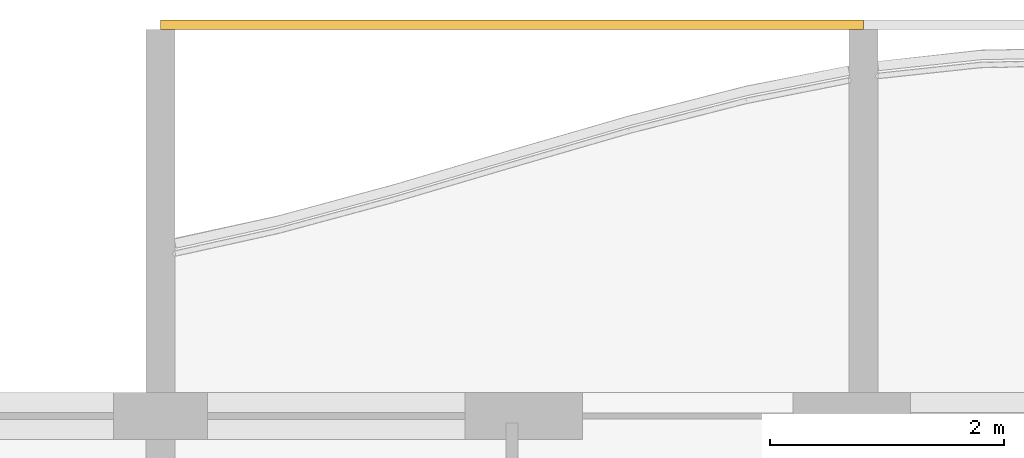
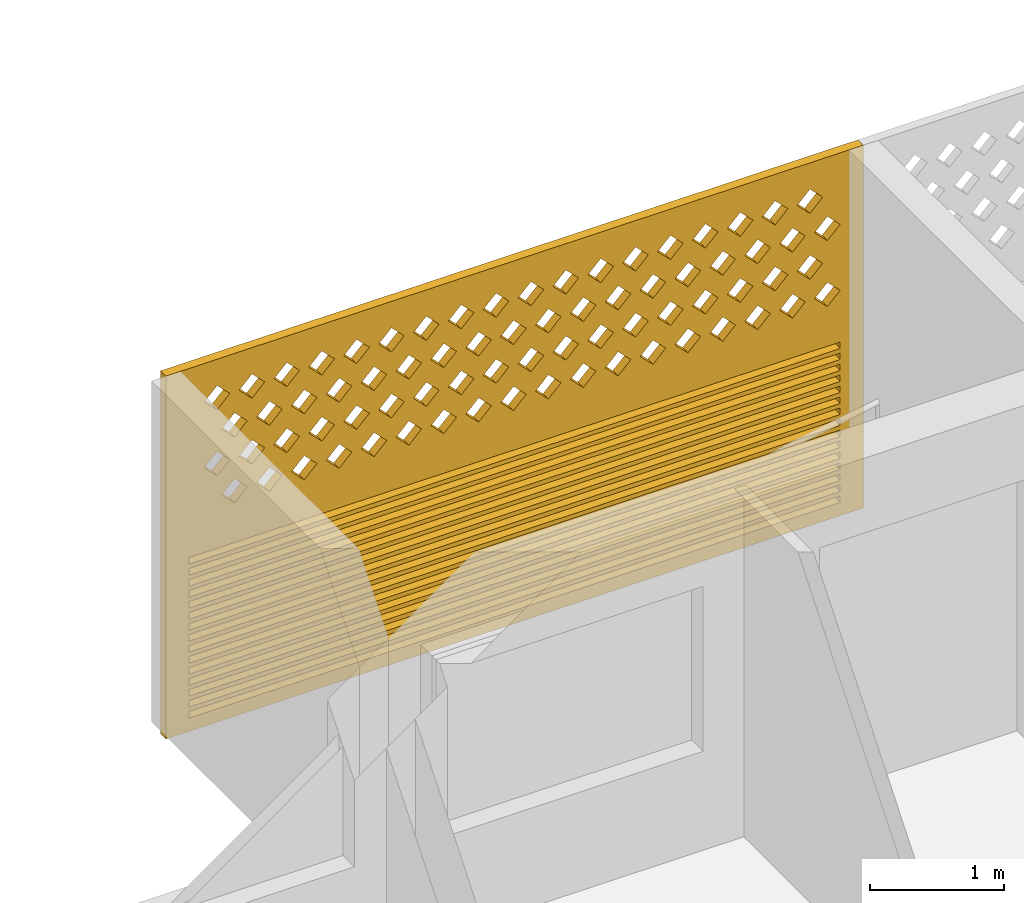
# One storey, part 25 of 29: 1 covering.
"""IFC4 building model written with IfcOpenShell, lengths in metres."""

import ifcopenshell
import ifcopenshell.guid

model = None  # the IFC model being written
_history = None  # IfcOwnerHistory: only IFC2X3 demands one
_inside = {}  # id of a spatial element -> (the spatial element, [elements in it])
_under = {}  # id of a project, library or spatial element -> (it, [spatial elements below it])
_declared = {}  # id of a project -> (the project, [libraries it declares])
_typed = {}  # id of a type object -> (the type object, [elements of that type])
_made_of = {}  # id of a material, layer set ... -> (it, [elements and type objects made of it])


def new_model(schema):
    """Start an empty IFC model of exactly this schema.

    Asked for "IFC4X3", IfcOpenShell would pick the latest addendum, in which some entities
    have other attributes; the version numbers below select the first issue.
    IFC2X3 requires an IfcOwnerHistory on every rooted entity: one is made here for all.
    """
    global model, _history
    if schema == "IFC4X3":
        model = ifcopenshell.file(schema_version=(4, 3, 0, 0))
    else:
        model = ifcopenshell.file(schema=schema)
    _inside.clear()
    _under.clear()
    _declared.clear()
    _typed.clear()
    _made_of.clear()
    _history = None
    if model.schema == "IFC2X3":
        org = make("IfcOrganization", Name="unknown")
        user = make(
            "IfcPersonAndOrganization",
            ThePerson=make("IfcPerson", FamilyName="unknown"),
            TheOrganization=org,
        )
        app = make(
            "IfcApplication",
            ApplicationDeveloper=org,
            Version="unknown",
            ApplicationFullName="unknown",
            ApplicationIdentifier="unknown",
        )
        _history = make(
            "IfcOwnerHistory",
            OwningUser=user,
            OwningApplication=app,
            ChangeAction="ADDED",
            CreationDate=0,
        )
    return model


def make(cls, **values):
    """One entity of the class cls with the attributes given. An attribute that is None is left unset."""
    return model.create_entity(
        cls, **{name: value for name, value in values.items() if value is not None}
    )


def rooted(cls, **values):
    """An entity with a GlobalId (a new one), such as an element, a storey or a relation."""
    return make(cls, GlobalId=ifcopenshell.guid.new(), OwnerHistory=_history, **values)


def si_unit(unit_type, name, prefix=None):
    """IfcSIUnit, for example si_unit("LENGTHUNIT", "METRE", prefix="MILLI")."""
    return make("IfcSIUnit", UnitType=unit_type, Prefix=prefix, Name=name)


def assignment(units):
    """IfcUnitAssignment: the units of a project."""
    return None if units is None else make("IfcUnitAssignment", Units=units)


def point(xyz):
    """IfcCartesianPoint."""
    return None if xyz is None else make("IfcCartesianPoint", Coordinates=xyz)


def direction(xyz):
    """IfcDirection."""
    return None if xyz is None else make("IfcDirection", DirectionRatios=xyz)


def frame(location, z_axis=None, x_axis=None):
    """IfcAxis2Placement3D, a coordinate frame: its origin and axes. An axis left out is left unset."""
    return make(
        "IfcAxis2Placement3D",
        Location=point(location),
        Axis=direction(z_axis),
        RefDirection=direction(x_axis),
    )


def origin():
    """The frame at (0, 0, 0) with its axes left unset."""
    return frame((0.0, 0.0, 0.0))


def place(relative_to, where):
    """IfcLocalPlacement: puts the frame where relative to a parent placement (None: the world)."""
    return make(
        "IfcLocalPlacement", PlacementRelTo=relative_to, RelativePlacement=where
    )


def context(
    kind, dimensions, precision=None, world=None, true_north=None, identifier=None
):
    """IfcGeometricRepresentationContext, for example the 3D "Model" context."""
    return make(
        "IfcGeometricRepresentationContext",
        ContextIdentifier=identifier,
        ContextType=kind,
        CoordinateSpaceDimension=dimensions,
        Precision=precision,
        WorldCoordinateSystem=world,
        TrueNorth=true_north,
    )


def subcontext(parent, identifier, kind, view, scale=None):
    """IfcGeometricRepresentationSubContext, for example "Body" below "Model"."""
    return make(
        "IfcGeometricRepresentationSubContext",
        ContextIdentifier=identifier,
        ContextType=kind,
        ParentContext=parent,
        TargetScale=scale,
        TargetView=view,
    )


def project(units=None, contexts=None):
    """IfcProject with its units and contexts."""
    return rooted(
        "IfcProject",
        Name="project",
        RepresentationContexts=contexts,
        UnitsInContext=assignment(units),
    )


def spatial(cls, under=None, at=None, **own):
    """A site, building, storey or space (cls), placed at a placement, below another one or the project."""
    s = rooted(cls, ObjectPlacement=at, **own)
    if under is not None:
        _under.setdefault(under.id(), (under, []))[1].append(s)
    return s


def polyline(points):
    """IfcPolyline through the points."""
    return make("IfcPolyline", Points=[point(p) for p in points])


def outline(outer, holes=None, kind="AREA"):
    """IfcArbitraryClosedProfileDef: a profile drawn as a closed curve; with holes, ...WithVoids."""
    if holes is None:
        return make("IfcArbitraryClosedProfileDef", ProfileType=kind, OuterCurve=outer)
    return make(
        "IfcArbitraryProfileDefWithVoids",
        ProfileType=kind,
        OuterCurve=outer,
        InnerCurves=holes,
    )


def extrude(swept, where, along, depth):
    """IfcExtrudedAreaSolid: the profile swept, set in the frame where, extruded along a direction by depth."""
    return make(
        "IfcExtrudedAreaSolid",
        SweptArea=swept,
        Position=where,
        ExtrudedDirection=direction(along),
        Depth=depth,
    )


def shape(context_of_items, identifier, shape_type, items):
    """IfcShapeRepresentation: the items that make up one representation, for example the "Body"."""
    return make(
        "IfcShapeRepresentation",
        ContextOfItems=context_of_items,
        RepresentationIdentifier=identifier,
        RepresentationType=shape_type,
        Items=items,
    )


def source(mapping_origin, context_of_items, identifier, shape_type, items):
    """IfcRepresentationMap: a shape defined once, which mapped items show again and again."""
    return make(
        "IfcRepresentationMap",
        MappingOrigin=mapping_origin,
        MappedRepresentation=shape(context_of_items, identifier, shape_type, items),
    )


def transform(
    local_origin,
    x_axis=None,
    y_axis=None,
    z_axis=None,
    scale=None,
    scale2=None,
    scale3=None,
    uniform=True,
):
    """IfcCartesianTransformationOperator3D, or its non-uniform kind. x_axis, y_axis, z_axis: its Axis1, 2, 3."""
    if uniform:
        return make(
            "IfcCartesianTransformationOperator3D",
            Axis1=direction(x_axis),
            Axis2=direction(y_axis),
            LocalOrigin=point(local_origin),
            Scale=scale,
            Axis3=direction(z_axis),
        )
    return make(
        "IfcCartesianTransformationOperator3DnonUniform",
        Axis1=direction(x_axis),
        Axis2=direction(y_axis),
        LocalOrigin=point(local_origin),
        Scale=scale,
        Axis3=direction(z_axis),
        Scale2=scale2,
        Scale3=scale3,
    )


def mapped(mapping_source, mapping_target):
    """IfcMappedItem: shows the shape of a source again, moved by a transform."""
    return make(
        "IfcMappedItem", MappingSource=mapping_source, MappingTarget=mapping_target
    )


def material(Name=None, Category=None):
    """IfcMaterial."""
    return make("IfcMaterial", Name=Name, Category=Category)


def material_profile(
    of_material, cross_section, Name=None, Category=None, Priority=None
):
    """IfcMaterialProfile: a cross section and its material."""
    return make(
        "IfcMaterialProfile",
        Name=Name,
        Material=of_material,
        Profile=cross_section,
        Priority=Priority,
        Category=Category,
    )


def profile_set(profiles, Name=None, composite=None):
    """IfcMaterialProfileSet."""
    return make(
        "IfcMaterialProfileSet",
        Name=Name,
        MaterialProfiles=profiles,
        CompositeProfile=composite,
    )


def made_of(thing, what):
    """Note that an element or type object is made of a material, layer set ...; save() writes the relation."""
    if what is not None:
        _made_of.setdefault(what.id(), (what, []))[1].append(thing)
    return thing


def type_object(cls, material=None, **own):
    """A type object (cls), such as IfcWallType, which elements share."""
    return made_of(rooted(cls, **own), material)


def element(
    cls,
    number,
    at=None,
    inside=None,
    cuts=None,
    type_object=None,
    material=None,
    context=None,
    identifier="Body",
    shape_type=None,
    held_by="IfcProductDefinitionShape",
    body=None,
    shapes=None,
    **own,
):
    """One element of the class cls, such as IfcWall. Its Tag is "e" and its number.

    at: its placement. inside: the storey or other place that contains it. cuts: it is an
    opening in that element (IfcRelVoidsElement). A single representation is given by context,
    identifier, shape_type and body (its items); several are given by shapes. held_by: the class
    of the entity that holds the representations. save() writes the other relations.
    """
    e = rooted(cls, Tag="e%d" % number, ObjectPlacement=at, **own)
    if body is not None:
        shapes = [shape(context, identifier, shape_type, body)]
    if shapes is not None:
        e.Representation = make(held_by, Representations=shapes)
    if inside is not None:
        _inside.setdefault(inside.id(), (inside, []))[1].append(e)
    if cuts is not None:
        rooted(
            "IfcRelVoidsElement", RelatingBuildingElement=cuts, RelatedOpeningElement=e
        )
    if type_object is not None:
        _typed.setdefault(type_object.id(), (type_object, []))[1].append(e)
    return made_of(e, material)


def aggregate(whole, parts):
    """IfcRelAggregates: a whole, such as a stair, and the parts it consists of."""
    return rooted("IfcRelAggregates", RelatingObject=whole, RelatedObjects=parts)


def save(model, path):
    """Write the relations noted so far, then the file.

    IfcRelAggregates (storeys below a building ...), IfcRelContainedInSpatialStructure (elements
    in a storey), IfcRelDefinesByType, IfcRelAssociatesMaterial and IfcRelDeclares: one each for
    every whole, place, type object, material and project.
    """
    for whole, parts in _under.values():
        aggregate(whole, parts)
    for where, things in _inside.values():
        rooted(
            "IfcRelContainedInSpatialStructure",
            RelatedElements=things,
            RelatingStructure=where,
        )
    for kind, things in _typed.values():
        rooted("IfcRelDefinesByType", RelatedObjects=things, RelatingType=kind)
    for what, things in _made_of.values():
        rooted("IfcRelAssociatesMaterial", RelatedObjects=things, RelatingMaterial=what)
    for by, libraries in _declared.values():
        rooted("IfcRelDeclares", RelatingContext=by, RelatedDefinitions=libraries)
    model.write(path)


model = new_model("IFC4")

# Units and contexts
model_context = context("Model", 3, precision=1e-05, world=origin(), true_north=direction((0.0, 1.0)))
body_context = subcontext(model_context, "Body", "Model", "MODEL_VIEW")
ifc_project = project(units=[si_unit("LENGTHUNIT", "METRE"), si_unit("AREAUNIT", "SQUARE_METRE"), si_unit("VOLUMEUNIT", "CUBIC_METRE"), si_unit("PLANEANGLEUNIT", "RADIAN"), si_unit("MASSUNIT", "GRAM", prefix="KILO")], contexts=[model_context])

# Site, building, storey
site_placement = place(None, origin())
site = spatial("IfcSite", under=ifc_project, at=site_placement, CompositionType="ELEMENT")
building_placement = place(site_placement, origin())
building = spatial("IfcBuilding", under=site, at=building_placement, Name="Poui Terraces", CompositionType="ELEMENT")
storey_placement = place(building_placement, frame((0.0, 0.0, 234.60009765625)))
storey = spatial("IfcBuildingStorey", under=building, at=storey_placement, Name="L65", CompositionType="ELEMENT", Elevation=234.60009765625)

# Covering
ifc_material = material(Name="Terracotta screen", Category="masonry")
ifc_material_profile = material_profile(ifc_material, outline(polyline([(-3.0, -1.64990234375), (3.0, -1.64990234375), (3.0, 1.64990234375), (-3.0, 1.64990234375), (-3.0, -1.64990234375)]), holes=[polyline([(-2.800048828125, 0.39990234375), (-2.68994140625, 0.2900390625), (-2.580078125, 0.39990234375), (-2.68994140625, 0.510009765625), (-2.800048828125, 0.39990234375)]), polyline([(-2.5, 0.39990234375), (-2.389892578125, 0.2900390625), (-2.280029296875, 0.39990234375), (-2.389892578125, 0.510009765625), (-2.5, 0.39990234375)]), polyline([(-2.199951171875, 0.39990234375), (-2.090087890625, 0.2900390625), (-1.97998046875, 0.39990234375), (-2.090087890625, 0.510009765625), (-2.199951171875, 0.39990234375)]), polyline([(-1.89990234375, 0.39990234375), (-1.7900390625, 0.2900390625), (-1.679931640625, 0.39990234375), (-1.7900390625, 0.510009765625), (-1.89990234375, 0.39990234375)]), polyline([(-1.60009765625, 0.39990234375), (-1.489990234375, 0.2900390625), (-1.3798828125, 0.39990234375), (-1.489990234375, 0.510009765625), (-1.60009765625, 0.39990234375)]), polyline([(-1.300048828125, 0.39990234375), (-1.18994140625, 0.2900390625), (-1.080078125, 0.39990234375), (-1.18994140625, 0.510009765625), (-1.300048828125, 0.39990234375)]), polyline([(-1.0, 0.39990234375), (-0.889892578125, 0.2900390625), (-0.780029296875, 0.39990234375), (-0.889892578125, 0.510009765625), (-1.0, 0.39990234375)]), polyline([(-0.699951171875, 0.39990234375), (-0.590087890625, 0.2900390625), (-0.47998046875, 0.39990234375), (-0.590087890625, 0.510009765625), (-0.699951171875, 0.39990234375)]), polyline([(-0.39990234375, 0.39990234375), (-0.2900390625, 0.2900390625), (-0.179931640625, 0.39990234375), (-0.2900390625, 0.510009765625), (-0.39990234375, 0.39990234375)]), polyline([(-0.10009765625, 0.39990234375), (0.010009765625, 0.2900390625), (0.1201171875, 0.39990234375), (0.010009765625, 0.510009765625), (-0.10009765625, 0.39990234375)]), polyline([(0.199951171875, 0.39990234375), (0.31005859375, 0.2900390625), (0.419921875, 0.39990234375), (0.31005859375, 0.510009765625), (0.199951171875, 0.39990234375)]), polyline([(0.5, 0.39990234375), (0.610107421875, 0.2900390625), (0.719970703125, 0.39990234375), (0.610107421875, 0.510009765625), (0.5, 0.39990234375)]), polyline([(0.800048828125, 0.39990234375), (0.909912109375, 0.2900390625), (1.02001953125, 0.39990234375), (0.909912109375, 0.510009765625), (0.800048828125, 0.39990234375)]), polyline([(1.10009765625, 0.39990234375), (1.2099609375, 0.2900390625), (1.320068359375, 0.39990234375), (1.2099609375, 0.510009765625), (1.10009765625, 0.39990234375)]), polyline([(1.39990234375, 0.39990234375), (1.510009765625, 0.2900390625), (1.6201171875, 0.39990234375), (1.510009765625, 0.510009765625), (1.39990234375, 0.39990234375)]), polyline([(1.699951171875, 0.39990234375), (1.81005859375, 0.2900390625), (1.919921875, 0.39990234375), (1.81005859375, 0.510009765625), (1.699951171875, 0.39990234375)]), polyline([(2.0, 0.39990234375), (2.110107421875, 0.2900390625), (2.219970703125, 0.39990234375), (2.110107421875, 0.510009765625), (2.0, 0.39990234375)]), polyline([(2.300048828125, 0.39990234375), (2.409912109375, 0.2900390625), (2.52001953125, 0.39990234375), (2.409912109375, 0.510009765625), (2.300048828125, 0.39990234375)]), polyline([(-2.64990234375, 0.699951171875), (-2.5400390625, 0.590087890625), (-2.429931640625, 0.699951171875), (-2.5400390625, 0.81005859375), (-2.64990234375, 0.699951171875)]), polyline([(-2.35009765625, 0.699951171875), (-2.239990234375, 0.590087890625), (-2.1298828125, 0.699951171875), (-2.239990234375, 0.81005859375), (-2.35009765625, 0.699951171875)]), polyline([(-2.050048828125, 0.699951171875), (-1.93994140625, 0.590087890625), (-1.830078125, 0.699951171875), (-1.93994140625, 0.81005859375), (-2.050048828125, 0.699951171875)]), polyline([(-1.75, 0.699951171875), (-1.639892578125, 0.590087890625), (-1.530029296875, 0.699951171875), (-1.639892578125, 0.81005859375), (-1.75, 0.699951171875)]), polyline([(-1.449951171875, 0.699951171875), (-1.340087890625, 0.590087890625), (-1.22998046875, 0.699951171875), (-1.340087890625, 0.81005859375), (-1.449951171875, 0.699951171875)]), polyline([(-1.14990234375, 0.699951171875), (-1.0400390625, 0.590087890625), (-0.929931640625, 0.699951171875), (-1.0400390625, 0.81005859375), (-1.14990234375, 0.699951171875)]), polyline([(-0.85009765625, 0.699951171875), (-0.739990234375, 0.590087890625), (-0.6298828125, 0.699951171875), (-0.739990234375, 0.81005859375), (-0.85009765625, 0.699951171875)]), polyline([(-0.550048828125, 0.699951171875), (-0.43994140625, 0.590087890625), (-0.330078125, 0.699951171875), (-0.43994140625, 0.81005859375), (-0.550048828125, 0.699951171875)]), polyline([(-0.25, 0.699951171875), (-0.139892578125, 0.590087890625), (-0.030029296875, 0.699951171875), (-0.139892578125, 0.81005859375), (-0.25, 0.699951171875)]), polyline([(0.050048828125, 0.699951171875), (0.159912109375, 0.590087890625), (0.27001953125, 0.699951171875), (0.159912109375, 0.81005859375), (0.050048828125, 0.699951171875)]), polyline([(0.35009765625, 0.699951171875), (0.4599609375, 0.590087890625), (0.570068359375, 0.699951171875), (0.4599609375, 0.81005859375), (0.35009765625, 0.699951171875)]), polyline([(0.64990234375, 0.699951171875), (0.760009765625, 0.590087890625), (0.8701171875, 0.699951171875), (0.760009765625, 0.81005859375), (0.64990234375, 0.699951171875)]), polyline([(0.949951171875, 0.699951171875), (1.06005859375, 0.590087890625), (1.169921875, 0.699951171875), (1.06005859375, 0.81005859375), (0.949951171875, 0.699951171875)]), polyline([(1.25, 0.699951171875), (1.360107421875, 0.590087890625), (1.469970703125, 0.699951171875), (1.360107421875, 0.81005859375), (1.25, 0.699951171875)]), polyline([(1.550048828125, 0.699951171875), (1.659912109375, 0.590087890625), (1.77001953125, 0.699951171875), (1.659912109375, 0.81005859375), (1.550048828125, 0.699951171875)]), polyline([(1.85009765625, 0.699951171875), (1.9599609375, 0.590087890625), (2.070068359375, 0.699951171875), (1.9599609375, 0.81005859375), (1.85009765625, 0.699951171875)]), polyline([(2.14990234375, 0.699951171875), (2.260009765625, 0.590087890625), (2.3701171875, 0.699951171875), (2.260009765625, 0.81005859375), (2.14990234375, 0.699951171875)]), polyline([(2.449951171875, 0.699951171875), (2.56005859375, 0.590087890625), (2.669921875, 0.699951171875), (2.56005859375, 0.81005859375), (2.449951171875, 0.699951171875)]), polyline([(-2.800048828125, 1.0), (-2.68994140625, 0.889892578125), (-2.580078125, 1.0), (-2.68994140625, 1.110107421875), (-2.800048828125, 1.0)]), polyline([(-2.5, 1.0), (-2.389892578125, 0.889892578125), (-2.280029296875, 1.0), (-2.389892578125, 1.110107421875), (-2.5, 1.0)]), polyline([(-2.199951171875, 1.0), (-2.090087890625, 0.889892578125), (-1.97998046875, 1.0), (-2.090087890625, 1.110107421875), (-2.199951171875, 1.0)]), polyline([(-1.89990234375, 1.0), (-1.7900390625, 0.889892578125), (-1.679931640625, 1.0), (-1.7900390625, 1.110107421875), (-1.89990234375, 1.0)]), polyline([(-1.60009765625, 1.0), (-1.489990234375, 0.889892578125), (-1.3798828125, 1.0), (-1.489990234375, 1.110107421875), (-1.60009765625, 1.0)]), polyline([(-1.300048828125, 1.0), (-1.18994140625, 0.889892578125), (-1.080078125, 1.0), (-1.18994140625, 1.110107421875), (-1.300048828125, 1.0)]), polyline([(-1.0, 1.0), (-0.889892578125, 0.889892578125), (-0.780029296875, 1.0), (-0.889892578125, 1.110107421875), (-1.0, 1.0)]), polyline([(-0.699951171875, 1.0), (-0.590087890625, 0.889892578125), (-0.47998046875, 1.0), (-0.590087890625, 1.110107421875), (-0.699951171875, 1.0)]), polyline([(-0.39990234375, 1.0), (-0.2900390625, 0.889892578125), (-0.179931640625, 1.0), (-0.2900390625, 1.110107421875), (-0.39990234375, 1.0)]), polyline([(-0.10009765625, 1.0), (0.010009765625, 0.889892578125), (0.1201171875, 1.0), (0.010009765625, 1.110107421875), (-0.10009765625, 1.0)]), polyline([(0.199951171875, 1.0), (0.31005859375, 0.889892578125), (0.419921875, 1.0), (0.31005859375, 1.110107421875), (0.199951171875, 1.0)]), polyline([(0.5, 1.0), (0.610107421875, 0.889892578125), (0.719970703125, 1.0), (0.610107421875, 1.110107421875), (0.5, 1.0)]), polyline([(0.800048828125, 1.0), (0.909912109375, 0.889892578125), (1.02001953125, 1.0), (0.909912109375, 1.110107421875), (0.800048828125, 1.0)]), polyline([(1.10009765625, 1.0), (1.2099609375, 0.889892578125), (1.320068359375, 1.0), (1.2099609375, 1.110107421875), (1.10009765625, 1.0)]), polyline([(1.39990234375, 1.0), (1.510009765625, 0.889892578125), (1.6201171875, 1.0), (1.510009765625, 1.110107421875), (1.39990234375, 1.0)]), polyline([(1.699951171875, 1.0), (1.81005859375, 0.889892578125), (1.919921875, 1.0), (1.81005859375, 1.110107421875), (1.699951171875, 1.0)]), polyline([(2.0, 1.0), (2.110107421875, 0.889892578125), (2.219970703125, 1.0), (2.110107421875, 1.110107421875), (2.0, 1.0)]), polyline([(2.300048828125, 1.0), (2.409912109375, 0.889892578125), (2.52001953125, 1.0), (2.409912109375, 1.110107421875), (2.300048828125, 1.0)]), polyline([(-2.64990234375, 1.300048828125), (-2.5400390625, 1.18994140625), (-2.429931640625, 1.300048828125), (-2.5400390625, 1.409912109375), (-2.64990234375, 1.300048828125)]), polyline([(-2.35009765625, 1.300048828125), (-2.239990234375, 1.18994140625), (-2.1298828125, 1.300048828125), (-2.239990234375, 1.409912109375), (-2.35009765625, 1.300048828125)]), polyline([(-2.050048828125, 1.300048828125), (-1.93994140625, 1.18994140625), (-1.830078125, 1.300048828125), (-1.93994140625, 1.409912109375), (-2.050048828125, 1.300048828125)]), polyline([(-1.75, 1.300048828125), (-1.639892578125, 1.18994140625), (-1.530029296875, 1.300048828125), (-1.639892578125, 1.409912109375), (-1.75, 1.300048828125)]), polyline([(-1.449951171875, 1.300048828125), (-1.340087890625, 1.18994140625), (-1.22998046875, 1.300048828125), (-1.340087890625, 1.409912109375), (-1.449951171875, 1.300048828125)]), polyline([(-1.14990234375, 1.300048828125), (-1.0400390625, 1.18994140625), (-0.929931640625, 1.300048828125), (-1.0400390625, 1.409912109375), (-1.14990234375, 1.300048828125)]), polyline([(-0.85009765625, 1.300048828125), (-0.739990234375, 1.18994140625), (-0.6298828125, 1.300048828125), (-0.739990234375, 1.409912109375), (-0.85009765625, 1.300048828125)]), polyline([(-0.550048828125, 1.300048828125), (-0.43994140625, 1.18994140625), (-0.330078125, 1.300048828125), (-0.43994140625, 1.409912109375), (-0.550048828125, 1.300048828125)]), polyline([(-0.25, 1.300048828125), (-0.139892578125, 1.18994140625), (-0.030029296875, 1.300048828125), (-0.139892578125, 1.409912109375), (-0.25, 1.300048828125)]), polyline([(0.050048828125, 1.300048828125), (0.159912109375, 1.18994140625), (0.27001953125, 1.300048828125), (0.159912109375, 1.409912109375), (0.050048828125, 1.300048828125)]), polyline([(0.35009765625, 1.300048828125), (0.4599609375, 1.18994140625), (0.570068359375, 1.300048828125), (0.4599609375, 1.409912109375), (0.35009765625, 1.300048828125)]), polyline([(0.64990234375, 1.300048828125), (0.760009765625, 1.18994140625), (0.8701171875, 1.300048828125), (0.760009765625, 1.409912109375), (0.64990234375, 1.300048828125)]), polyline([(0.949951171875, 1.300048828125), (1.06005859375, 1.18994140625), (1.169921875, 1.300048828125), (1.06005859375, 1.409912109375), (0.949951171875, 1.300048828125)]), polyline([(1.25, 1.300048828125), (1.360107421875, 1.18994140625), (1.469970703125, 1.300048828125), (1.360107421875, 1.409912109375), (1.25, 1.300048828125)]), polyline([(1.550048828125, 1.300048828125), (1.659912109375, 1.18994140625), (1.77001953125, 1.300048828125), (1.659912109375, 1.409912109375), (1.550048828125, 1.300048828125)]), polyline([(1.85009765625, 1.300048828125), (1.9599609375, 1.18994140625), (2.070068359375, 1.300048828125), (1.9599609375, 1.409912109375), (1.85009765625, 1.300048828125)]), polyline([(2.14990234375, 1.300048828125), (2.260009765625, 1.18994140625), (2.3701171875, 1.300048828125), (2.260009765625, 1.409912109375), (2.14990234375, 1.300048828125)]), polyline([(2.449951171875, 1.300048828125), (2.56005859375, 1.18994140625), (2.669921875, 1.300048828125), (2.56005859375, 1.409912109375), (2.449951171875, 1.300048828125)]), polyline([(-2.800048828125, -1.530029296875), (2.800048828125, -1.530029296875), (2.800048828125, -1.469970703125), (-2.800048828125, -1.469970703125), (-2.800048828125, -1.530029296875)]), polyline([(-2.800048828125, -1.429931640625), (2.800048828125, -1.429931640625), (2.800048828125, -1.3701171875), (-2.800048828125, -1.3701171875), (-2.800048828125, -1.429931640625)]), polyline([(-2.800048828125, -1.330078125), (2.800048828125, -1.330078125), (2.800048828125, -1.27001953125), (-2.800048828125, -1.27001953125), (-2.800048828125, -1.330078125)]), polyline([(-2.800048828125, -1.22998046875), (2.800048828125, -1.22998046875), (2.800048828125, -1.169921875), (-2.800048828125, -1.169921875), (-2.800048828125, -1.22998046875)]), polyline([(-2.800048828125, -1.1298828125), (2.800048828125, -1.1298828125), (2.800048828125, -1.070068359375), (-2.800048828125, -1.070068359375), (-2.800048828125, -1.1298828125)]), polyline([(-2.800048828125, -1.030029296875), (2.800048828125, -1.030029296875), (2.800048828125, -0.969970703125), (-2.800048828125, -0.969970703125), (-2.800048828125, -1.030029296875)]), polyline([(-2.800048828125, -0.929931640625), (2.800048828125, -0.929931640625), (2.800048828125, -0.8701171875), (-2.800048828125, -0.8701171875), (-2.800048828125, -0.929931640625)]), polyline([(-2.800048828125, -0.830078125), (2.800048828125, -0.830078125), (2.800048828125, -0.77001953125), (-2.800048828125, -0.77001953125), (-2.800048828125, -0.830078125)]), polyline([(-2.800048828125, -0.72998046875), (2.800048828125, -0.72998046875), (2.800048828125, -0.669921875), (-2.800048828125, -0.669921875), (-2.800048828125, -0.72998046875)]), polyline([(-2.800048828125, -0.6298828125), (2.800048828125, -0.6298828125), (2.800048828125, -0.570068359375), (-2.800048828125, -0.570068359375), (-2.800048828125, -0.6298828125)]), polyline([(-2.800048828125, -0.530029296875), (2.800048828125, -0.530029296875), (2.800048828125, -0.469970703125), (-2.800048828125, -0.469970703125), (-2.800048828125, -0.530029296875)]), polyline([(-2.800048828125, -0.429931640625), (2.800048828125, -0.429931640625), (2.800048828125, -0.3701171875), (-2.800048828125, -0.3701171875), (-2.800048828125, -0.429931640625)]), polyline([(-2.800048828125, -0.330078125), (2.800048828125, -0.330078125), (2.800048828125, -0.27001953125), (-2.800048828125, -0.27001953125), (-2.800048828125, -0.330078125)]), polyline([(-2.800048828125, -0.22998046875), (2.800048828125, -0.22998046875), (2.800048828125, -0.169921875), (-2.800048828125, -0.169921875), (-2.800048828125, -0.22998046875)]), polyline([(-2.800048828125, -0.1298828125), (2.800048828125, -0.1298828125), (2.800048828125, -0.070068359375), (-2.800048828125, -0.070068359375), (-2.800048828125, -0.1298828125)])]), Name="TERRACOTTA SCREEN AND JALOUSIE LOUVRE 6000X3300")
ifc_profile_set = profile_set([ifc_material_profile], Name="Terracotta screen")
covering_type = type_object("IfcCoveringType", Name="TERRACOTTA SCREEN AND JALOUSIE LOUVRE 6000X3300", PredefinedType="CLADDING", material=ifc_profile_set)
shared_shape = source(origin(), body_context, "Body", "SweptSolid", [
    extrude(outline(polyline([(-3.0, -1.64990234375), (3.0, -1.64990234375), (3.0, 1.64990234375), (-3.0, 1.64990234375), (-3.0, -1.64990234375)]), holes=[polyline([(-2.800048828125, 0.39990234375), (-2.68994140625, 0.2900390625), (-2.580078125, 0.39990234375), (-2.68994140625, 0.510009765625), (-2.800048828125, 0.39990234375)]), polyline([(-2.5, 0.39990234375), (-2.389892578125, 0.2900390625), (-2.280029296875, 0.39990234375), (-2.389892578125, 0.510009765625), (-2.5, 0.39990234375)]), polyline([(-2.199951171875, 0.39990234375), (-2.090087890625, 0.2900390625), (-1.97998046875, 0.39990234375), (-2.090087890625, 0.510009765625), (-2.199951171875, 0.39990234375)]), polyline([(-1.89990234375, 0.39990234375), (-1.7900390625, 0.2900390625), (-1.679931640625, 0.39990234375), (-1.7900390625, 0.510009765625), (-1.89990234375, 0.39990234375)]), polyline([(-1.60009765625, 0.39990234375), (-1.489990234375, 0.2900390625), (-1.3798828125, 0.39990234375), (-1.489990234375, 0.510009765625), (-1.60009765625, 0.39990234375)]), polyline([(-1.300048828125, 0.39990234375), (-1.18994140625, 0.2900390625), (-1.080078125, 0.39990234375), (-1.18994140625, 0.510009765625), (-1.300048828125, 0.39990234375)]), polyline([(-1.0, 0.39990234375), (-0.889892578125, 0.2900390625), (-0.780029296875, 0.39990234375), (-0.889892578125, 0.510009765625), (-1.0, 0.39990234375)]), polyline([(-0.699951171875, 0.39990234375), (-0.590087890625, 0.2900390625), (-0.47998046875, 0.39990234375), (-0.590087890625, 0.510009765625), (-0.699951171875, 0.39990234375)]), polyline([(-0.39990234375, 0.39990234375), (-0.2900390625, 0.2900390625), (-0.179931640625, 0.39990234375), (-0.2900390625, 0.510009765625), (-0.39990234375, 0.39990234375)]), polyline([(-0.10009765625, 0.39990234375), (0.010009765625, 0.2900390625), (0.1201171875, 0.39990234375), (0.010009765625, 0.510009765625), (-0.10009765625, 0.39990234375)]), polyline([(0.199951171875, 0.39990234375), (0.31005859375, 0.2900390625), (0.419921875, 0.39990234375), (0.31005859375, 0.510009765625), (0.199951171875, 0.39990234375)]), polyline([(0.5, 0.39990234375), (0.610107421875, 0.2900390625), (0.719970703125, 0.39990234375), (0.610107421875, 0.510009765625), (0.5, 0.39990234375)]), polyline([(0.800048828125, 0.39990234375), (0.909912109375, 0.2900390625), (1.02001953125, 0.39990234375), (0.909912109375, 0.510009765625), (0.800048828125, 0.39990234375)]), polyline([(1.10009765625, 0.39990234375), (1.2099609375, 0.2900390625), (1.320068359375, 0.39990234375), (1.2099609375, 0.510009765625), (1.10009765625, 0.39990234375)]), polyline([(1.39990234375, 0.39990234375), (1.510009765625, 0.2900390625), (1.6201171875, 0.39990234375), (1.510009765625, 0.510009765625), (1.39990234375, 0.39990234375)]), polyline([(1.699951171875, 0.39990234375), (1.81005859375, 0.2900390625), (1.919921875, 0.39990234375), (1.81005859375, 0.510009765625), (1.699951171875, 0.39990234375)]), polyline([(2.0, 0.39990234375), (2.110107421875, 0.2900390625), (2.219970703125, 0.39990234375), (2.110107421875, 0.510009765625), (2.0, 0.39990234375)]), polyline([(2.300048828125, 0.39990234375), (2.409912109375, 0.2900390625), (2.52001953125, 0.39990234375), (2.409912109375, 0.510009765625), (2.300048828125, 0.39990234375)]), polyline([(-2.64990234375, 0.699951171875), (-2.5400390625, 0.590087890625), (-2.429931640625, 0.699951171875), (-2.5400390625, 0.81005859375), (-2.64990234375, 0.699951171875)]), polyline([(-2.35009765625, 0.699951171875), (-2.239990234375, 0.590087890625), (-2.1298828125, 0.699951171875), (-2.239990234375, 0.81005859375), (-2.35009765625, 0.699951171875)]), polyline([(-2.050048828125, 0.699951171875), (-1.93994140625, 0.590087890625), (-1.830078125, 0.699951171875), (-1.93994140625, 0.81005859375), (-2.050048828125, 0.699951171875)]), polyline([(-1.75, 0.699951171875), (-1.639892578125, 0.590087890625), (-1.530029296875, 0.699951171875), (-1.639892578125, 0.81005859375), (-1.75, 0.699951171875)]), polyline([(-1.449951171875, 0.699951171875), (-1.340087890625, 0.590087890625), (-1.22998046875, 0.699951171875), (-1.340087890625, 0.81005859375), (-1.449951171875, 0.699951171875)]), polyline([(-1.14990234375, 0.699951171875), (-1.0400390625, 0.590087890625), (-0.929931640625, 0.699951171875), (-1.0400390625, 0.81005859375), (-1.14990234375, 0.699951171875)]), polyline([(-0.85009765625, 0.699951171875), (-0.739990234375, 0.590087890625), (-0.6298828125, 0.699951171875), (-0.739990234375, 0.81005859375), (-0.85009765625, 0.699951171875)]), polyline([(-0.550048828125, 0.699951171875), (-0.43994140625, 0.590087890625), (-0.330078125, 0.699951171875), (-0.43994140625, 0.81005859375), (-0.550048828125, 0.699951171875)]), polyline([(-0.25, 0.699951171875), (-0.139892578125, 0.590087890625), (-0.030029296875, 0.699951171875), (-0.139892578125, 0.81005859375), (-0.25, 0.699951171875)]), polyline([(0.050048828125, 0.699951171875), (0.159912109375, 0.590087890625), (0.27001953125, 0.699951171875), (0.159912109375, 0.81005859375), (0.050048828125, 0.699951171875)]), polyline([(0.35009765625, 0.699951171875), (0.4599609375, 0.590087890625), (0.570068359375, 0.699951171875), (0.4599609375, 0.81005859375), (0.35009765625, 0.699951171875)]), polyline([(0.64990234375, 0.699951171875), (0.760009765625, 0.590087890625), (0.8701171875, 0.699951171875), (0.760009765625, 0.81005859375), (0.64990234375, 0.699951171875)]), polyline([(0.949951171875, 0.699951171875), (1.06005859375, 0.590087890625), (1.169921875, 0.699951171875), (1.06005859375, 0.81005859375), (0.949951171875, 0.699951171875)]), polyline([(1.25, 0.699951171875), (1.360107421875, 0.590087890625), (1.469970703125, 0.699951171875), (1.360107421875, 0.81005859375), (1.25, 0.699951171875)]), polyline([(1.550048828125, 0.699951171875), (1.659912109375, 0.590087890625), (1.77001953125, 0.699951171875), (1.659912109375, 0.81005859375), (1.550048828125, 0.699951171875)]), polyline([(1.85009765625, 0.699951171875), (1.9599609375, 0.590087890625), (2.070068359375, 0.699951171875), (1.9599609375, 0.81005859375), (1.85009765625, 0.699951171875)]), polyline([(2.14990234375, 0.699951171875), (2.260009765625, 0.590087890625), (2.3701171875, 0.699951171875), (2.260009765625, 0.81005859375), (2.14990234375, 0.699951171875)]), polyline([(2.449951171875, 0.699951171875), (2.56005859375, 0.590087890625), (2.669921875, 0.699951171875), (2.56005859375, 0.81005859375), (2.449951171875, 0.699951171875)]), polyline([(-2.800048828125, 1.0), (-2.68994140625, 0.889892578125), (-2.580078125, 1.0), (-2.68994140625, 1.110107421875), (-2.800048828125, 1.0)]), polyline([(-2.5, 1.0), (-2.389892578125, 0.889892578125), (-2.280029296875, 1.0), (-2.389892578125, 1.110107421875), (-2.5, 1.0)]), polyline([(-2.199951171875, 1.0), (-2.090087890625, 0.889892578125), (-1.97998046875, 1.0), (-2.090087890625, 1.110107421875), (-2.199951171875, 1.0)]), polyline([(-1.89990234375, 1.0), (-1.7900390625, 0.889892578125), (-1.679931640625, 1.0), (-1.7900390625, 1.110107421875), (-1.89990234375, 1.0)]), polyline([(-1.60009765625, 1.0), (-1.489990234375, 0.889892578125), (-1.3798828125, 1.0), (-1.489990234375, 1.110107421875), (-1.60009765625, 1.0)]), polyline([(-1.300048828125, 1.0), (-1.18994140625, 0.889892578125), (-1.080078125, 1.0), (-1.18994140625, 1.110107421875), (-1.300048828125, 1.0)]), polyline([(-1.0, 1.0), (-0.889892578125, 0.889892578125), (-0.780029296875, 1.0), (-0.889892578125, 1.110107421875), (-1.0, 1.0)]), polyline([(-0.699951171875, 1.0), (-0.590087890625, 0.889892578125), (-0.47998046875, 1.0), (-0.590087890625, 1.110107421875), (-0.699951171875, 1.0)]), polyline([(-0.39990234375, 1.0), (-0.2900390625, 0.889892578125), (-0.179931640625, 1.0), (-0.2900390625, 1.110107421875), (-0.39990234375, 1.0)]), polyline([(-0.10009765625, 1.0), (0.010009765625, 0.889892578125), (0.1201171875, 1.0), (0.010009765625, 1.110107421875), (-0.10009765625, 1.0)]), polyline([(0.199951171875, 1.0), (0.31005859375, 0.889892578125), (0.419921875, 1.0), (0.31005859375, 1.110107421875), (0.199951171875, 1.0)]), polyline([(0.5, 1.0), (0.610107421875, 0.889892578125), (0.719970703125, 1.0), (0.610107421875, 1.110107421875), (0.5, 1.0)]), polyline([(0.800048828125, 1.0), (0.909912109375, 0.889892578125), (1.02001953125, 1.0), (0.909912109375, 1.110107421875), (0.800048828125, 1.0)]), polyline([(1.10009765625, 1.0), (1.2099609375, 0.889892578125), (1.320068359375, 1.0), (1.2099609375, 1.110107421875), (1.10009765625, 1.0)]), polyline([(1.39990234375, 1.0), (1.510009765625, 0.889892578125), (1.6201171875, 1.0), (1.510009765625, 1.110107421875), (1.39990234375, 1.0)]), polyline([(1.699951171875, 1.0), (1.81005859375, 0.889892578125), (1.919921875, 1.0), (1.81005859375, 1.110107421875), (1.699951171875, 1.0)]), polyline([(2.0, 1.0), (2.110107421875, 0.889892578125), (2.219970703125, 1.0), (2.110107421875, 1.110107421875), (2.0, 1.0)]), polyline([(2.300048828125, 1.0), (2.409912109375, 0.889892578125), (2.52001953125, 1.0), (2.409912109375, 1.110107421875), (2.300048828125, 1.0)]), polyline([(-2.64990234375, 1.300048828125), (-2.5400390625, 1.18994140625), (-2.429931640625, 1.300048828125), (-2.5400390625, 1.409912109375), (-2.64990234375, 1.300048828125)]), polyline([(-2.35009765625, 1.300048828125), (-2.239990234375, 1.18994140625), (-2.1298828125, 1.300048828125), (-2.239990234375, 1.409912109375), (-2.35009765625, 1.300048828125)]), polyline([(-2.050048828125, 1.300048828125), (-1.93994140625, 1.18994140625), (-1.830078125, 1.300048828125), (-1.93994140625, 1.409912109375), (-2.050048828125, 1.300048828125)]), polyline([(-1.75, 1.300048828125), (-1.639892578125, 1.18994140625), (-1.530029296875, 1.300048828125), (-1.639892578125, 1.409912109375), (-1.75, 1.300048828125)]), polyline([(-1.449951171875, 1.300048828125), (-1.340087890625, 1.18994140625), (-1.22998046875, 1.300048828125), (-1.340087890625, 1.409912109375), (-1.449951171875, 1.300048828125)]), polyline([(-1.14990234375, 1.300048828125), (-1.0400390625, 1.18994140625), (-0.929931640625, 1.300048828125), (-1.0400390625, 1.409912109375), (-1.14990234375, 1.300048828125)]), polyline([(-0.85009765625, 1.300048828125), (-0.739990234375, 1.18994140625), (-0.6298828125, 1.300048828125), (-0.739990234375, 1.409912109375), (-0.85009765625, 1.300048828125)]), polyline([(-0.550048828125, 1.300048828125), (-0.43994140625, 1.18994140625), (-0.330078125, 1.300048828125), (-0.43994140625, 1.409912109375), (-0.550048828125, 1.300048828125)]), polyline([(-0.25, 1.300048828125), (-0.139892578125, 1.18994140625), (-0.030029296875, 1.300048828125), (-0.139892578125, 1.409912109375), (-0.25, 1.300048828125)]), polyline([(0.050048828125, 1.300048828125), (0.159912109375, 1.18994140625), (0.27001953125, 1.300048828125), (0.159912109375, 1.409912109375), (0.050048828125, 1.300048828125)]), polyline([(0.35009765625, 1.300048828125), (0.4599609375, 1.18994140625), (0.570068359375, 1.300048828125), (0.4599609375, 1.409912109375), (0.35009765625, 1.300048828125)]), polyline([(0.64990234375, 1.300048828125), (0.760009765625, 1.18994140625), (0.8701171875, 1.300048828125), (0.760009765625, 1.409912109375), (0.64990234375, 1.300048828125)]), polyline([(0.949951171875, 1.300048828125), (1.06005859375, 1.18994140625), (1.169921875, 1.300048828125), (1.06005859375, 1.409912109375), (0.949951171875, 1.300048828125)]), polyline([(1.25, 1.300048828125), (1.360107421875, 1.18994140625), (1.469970703125, 1.300048828125), (1.360107421875, 1.409912109375), (1.25, 1.300048828125)]), polyline([(1.550048828125, 1.300048828125), (1.659912109375, 1.18994140625), (1.77001953125, 1.300048828125), (1.659912109375, 1.409912109375), (1.550048828125, 1.300048828125)]), polyline([(1.85009765625, 1.300048828125), (1.9599609375, 1.18994140625), (2.070068359375, 1.300048828125), (1.9599609375, 1.409912109375), (1.85009765625, 1.300048828125)]), polyline([(2.14990234375, 1.300048828125), (2.260009765625, 1.18994140625), (2.3701171875, 1.300048828125), (2.260009765625, 1.409912109375), (2.14990234375, 1.300048828125)]), polyline([(2.449951171875, 1.300048828125), (2.56005859375, 1.18994140625), (2.669921875, 1.300048828125), (2.56005859375, 1.409912109375), (2.449951171875, 1.300048828125)]), polyline([(-2.800048828125, -1.530029296875), (2.800048828125, -1.530029296875), (2.800048828125, -1.469970703125), (-2.800048828125, -1.469970703125), (-2.800048828125, -1.530029296875)]), polyline([(-2.800048828125, -1.429931640625), (2.800048828125, -1.429931640625), (2.800048828125, -1.3701171875), (-2.800048828125, -1.3701171875), (-2.800048828125, -1.429931640625)]), polyline([(-2.800048828125, -1.330078125), (2.800048828125, -1.330078125), (2.800048828125, -1.27001953125), (-2.800048828125, -1.27001953125), (-2.800048828125, -1.330078125)]), polyline([(-2.800048828125, -1.22998046875), (2.800048828125, -1.22998046875), (2.800048828125, -1.169921875), (-2.800048828125, -1.169921875), (-2.800048828125, -1.22998046875)]), polyline([(-2.800048828125, -1.1298828125), (2.800048828125, -1.1298828125), (2.800048828125, -1.070068359375), (-2.800048828125, -1.070068359375), (-2.800048828125, -1.1298828125)]), polyline([(-2.800048828125, -1.030029296875), (2.800048828125, -1.030029296875), (2.800048828125, -0.969970703125), (-2.800048828125, -0.969970703125), (-2.800048828125, -1.030029296875)]), polyline([(-2.800048828125, -0.929931640625), (2.800048828125, -0.929931640625), (2.800048828125, -0.8701171875), (-2.800048828125, -0.8701171875), (-2.800048828125, -0.929931640625)]), polyline([(-2.800048828125, -0.830078125), (2.800048828125, -0.830078125), (2.800048828125, -0.77001953125), (-2.800048828125, -0.77001953125), (-2.800048828125, -0.830078125)]), polyline([(-2.800048828125, -0.72998046875), (2.800048828125, -0.72998046875), (2.800048828125, -0.669921875), (-2.800048828125, -0.669921875), (-2.800048828125, -0.72998046875)]), polyline([(-2.800048828125, -0.6298828125), (2.800048828125, -0.6298828125), (2.800048828125, -0.570068359375), (-2.800048828125, -0.570068359375), (-2.800048828125, -0.6298828125)]), polyline([(-2.800048828125, -0.530029296875), (2.800048828125, -0.530029296875), (2.800048828125, -0.469970703125), (-2.800048828125, -0.469970703125), (-2.800048828125, -0.530029296875)]), polyline([(-2.800048828125, -0.429931640625), (2.800048828125, -0.429931640625), (2.800048828125, -0.3701171875), (-2.800048828125, -0.3701171875), (-2.800048828125, -0.429931640625)]), polyline([(-2.800048828125, -0.330078125), (2.800048828125, -0.330078125), (2.800048828125, -0.27001953125), (-2.800048828125, -0.27001953125), (-2.800048828125, -0.330078125)]), polyline([(-2.800048828125, -0.22998046875), (2.800048828125, -0.22998046875), (2.800048828125, -0.169921875), (-2.800048828125, -0.169921875), (-2.800048828125, -0.22998046875)]), polyline([(-2.800048828125, -0.1298828125), (2.800048828125, -0.1298828125), (2.800048828125, -0.070068359375), (-2.800048828125, -0.070068359375), (-2.800048828125, -0.1298828125)])]), origin(), (0.0, 0.0, 1.0), 0.080078125),
])
covering_placement = place(storey_placement, frame((63.0, 44.5, 1.449951171875), z_axis=(0.0, 1.0, 0.0), x_axis=(-1.0, 0.0, 0.0)))
element("IfcCovering", 1, at=covering_placement, inside=storey, type_object=covering_type, Name="SOLAR SCREEN AND JALOUSIE LOUVRE", PredefinedType="CLADDING", context=body_context, shape_type="MappedRepresentation", body=[
    mapped(shared_shape, transform((0.0, 0.0, 0.0))),
])

save(model, "model.ifc")
